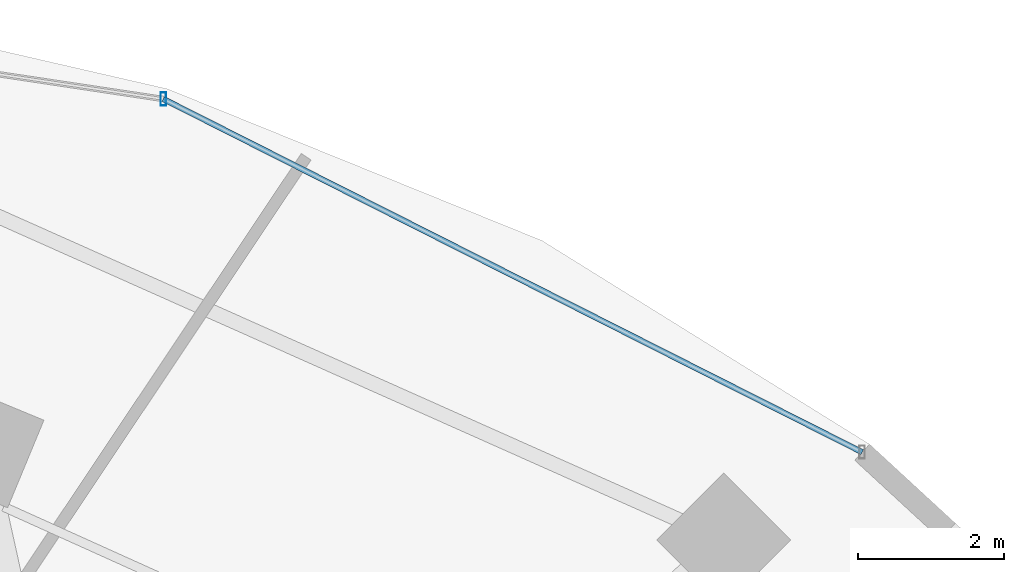
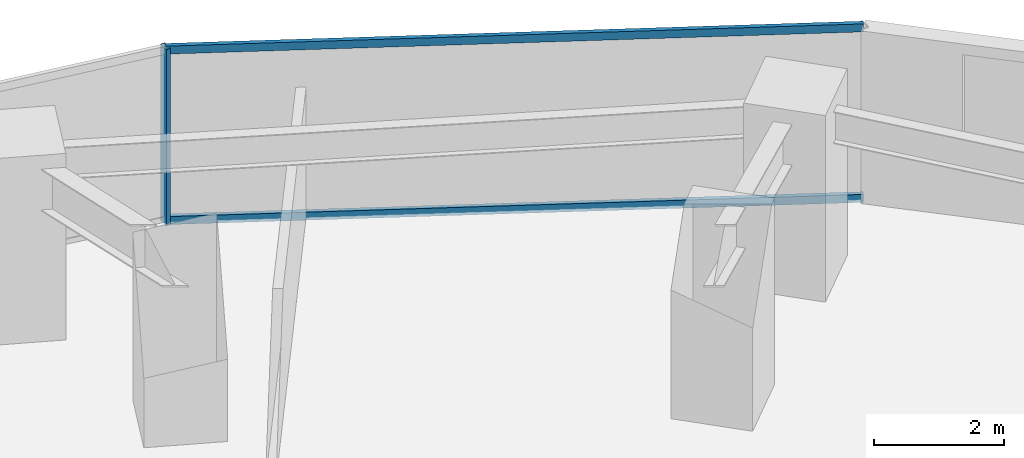
# One storey, part 24 of 35: 3 members, 1 element without a shape of its own.
"""IFC4 building model written with IfcOpenShell, lengths in metres."""

from ifc_helpers import new_model, si_unit, direction, frame, origin, origin_2d, place, context, subcontext, project, spatial, hollow_rectangle, extrude, material, material_profile, profile_set, type_object, element, aggregate, save


model = new_model("IFC4")

# Units and contexts
model_context = context("Model", 3, precision=1e-05, world=origin(), true_north=direction((0.0, 1.0)))
body_context = subcontext(model_context, "Body", "Model", "MODEL_VIEW")
ifc_project = project(units=[si_unit("LENGTHUNIT", "METRE"), si_unit("AREAUNIT", "SQUARE_METRE"), si_unit("VOLUMEUNIT", "CUBIC_METRE"), si_unit("PLANEANGLEUNIT", "RADIAN"), si_unit("MASSUNIT", "GRAM", prefix="KILO")], contexts=[model_context])

# Site, building, storey
site_placement = place(None, origin())
site = spatial("IfcSite", under=ifc_project, at=site_placement, CompositionType="ELEMENT")
building_placement = place(site_placement, origin())
building = spatial("IfcBuilding", under=site, at=building_placement, Name="Vorneva Point Tower", CompositionType="ELEMENT")
storey_placement = place(building_placement, frame((0.0, 0.0, 45.0)))
storey = spatial("IfcBuildingStorey", under=building, at=storey_placement, Name="L11", CompositionType="ELEMENT", Elevation=45.0)

# Curtain wall, members
ifc_material = material(Name="Pale anodised aluminium", Category="aluminium")
curtain_wall_type = type_object("IfcCurtainWallType", Name="CW-HTL-SYS", PredefinedType="NOTDEFINED", material=ifc_material)
curtain_wall_placement = place(storey_placement, origin())
curtain_wall = element("IfcCurtainWall", 1, at=curtain_wall_placement, inside=storey, type_object=curtain_wall_type, Name="L11 Unitised Curtain Wall CW-L11-R02", PredefinedType="NOTDEFINED")
ifc_material_profile_1 = material_profile(ifc_material, hollow_rectangle(XDim=0.074951171875, YDim=0.179931640625, WallThickness=0.00390625, at=origin_2d()), Name="AL-MUL 180x75x4")
ifc_profile_set_1 = profile_set([ifc_material_profile_1], Name="Pale anodised aluminium")
member_type_1 = type_object("IfcMemberType", Name="CW-MUL-180", PredefinedType="MULLION", material=ifc_profile_set_1)
member_1_placement = place(storey_placement, frame((49.308349609375, 46.648681640625, -0.0400390625), z_axis=(0.0, 0.0, 1.0), x_axis=(1.0, 0.0, 0.0)))
member_1 = element("IfcMember", 2, at=member_1_placement, type_object=member_type_1, Name="CW-L11-R02 Mullion 02", PredefinedType="MULLION", context=body_context, shape_type="SweptSolid", body=[
    extrude(hollow_rectangle(XDim=0.074951171875, YDim=0.179931640625, WallThickness=0.00390625, at=origin_2d()), origin(), (0.0, 0.0, 1.0), 3.31005859375),
])
ifc_material_profile_2 = material_profile(ifc_material, hollow_rectangle(XDim=0.074951171875, YDim=0.14990234375, WallThickness=0.00390625, at=origin_2d()), Name="AL-TRN 150x75x4")
ifc_profile_set_2 = profile_set([ifc_material_profile_2], Name="Pale anodised aluminium")
member_type_2 = type_object("IfcMemberType", Name="CW-TRN-150", PredefinedType="USERDEFINED", material=ifc_profile_set_2)
member_2_placement = place(storey_placement, frame((58.89501953125, 41.8037109375, 0.02001953125), z_axis=(-0.892496057621, 0.451055192999, 0.0), x_axis=(-0.451055192999, -0.892496057621, 0.0)))
member_2 = element("IfcMember", 3, at=member_2_placement, type_object=member_type_2, Name="CW-L11-R02 Transom 01.1", ObjectType="TRANSOM", PredefinedType="USERDEFINED", context=body_context, shape_type="SweptSolid", body=[
    extrude(hollow_rectangle(XDim=0.074951171875, YDim=0.14990234375, WallThickness=0.00390625, at=origin_2d()), origin(), (0.0, 0.0, 1.0), 10.741455078125),
])
member_3_placement = place(storey_placement, frame((58.89501953125, 41.8037109375, 3.219970703125), z_axis=(-0.892496057621, 0.451055192999, 0.0), x_axis=(-0.451055192999, -0.892496057621, 0.0)))
member_3 = element("IfcMember", 4, at=member_3_placement, type_object=member_type_2, Name="CW-L11-R02 Transom 01.2", ObjectType="TRANSOM", PredefinedType="USERDEFINED", context=body_context, shape_type="SweptSolid", body=[
    extrude(hollow_rectangle(XDim=0.074951171875, YDim=0.14990234375, WallThickness=0.00390625, at=origin_2d()), origin(), (0.0, 0.0, 1.0), 10.741455078125),
])
aggregate(curtain_wall, [member_1, member_2, member_3])

save(model, "model.ifc")
